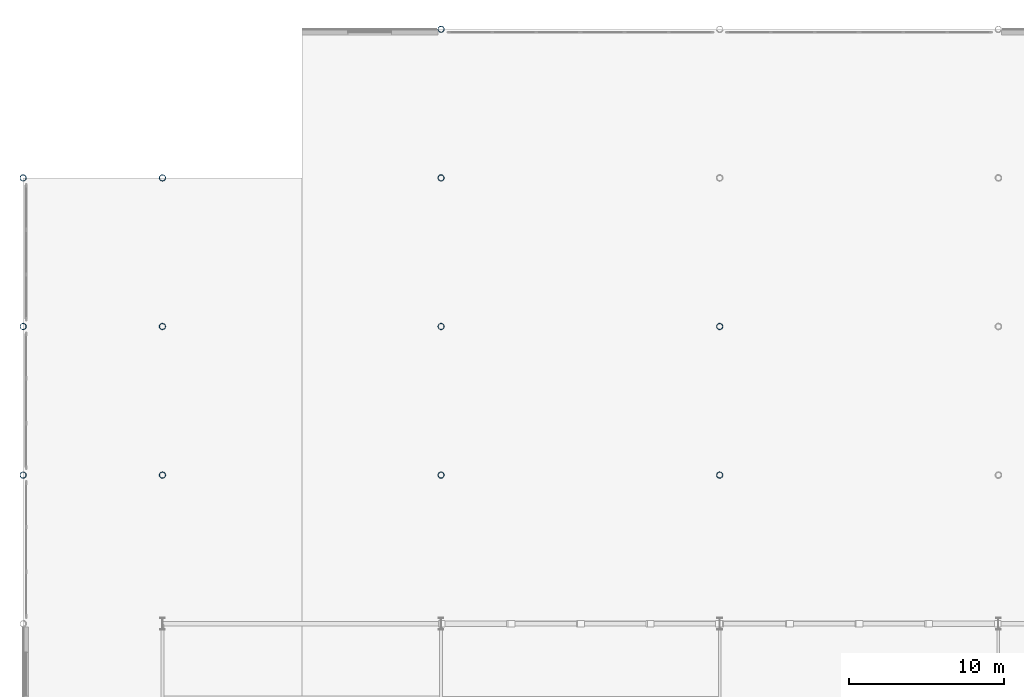
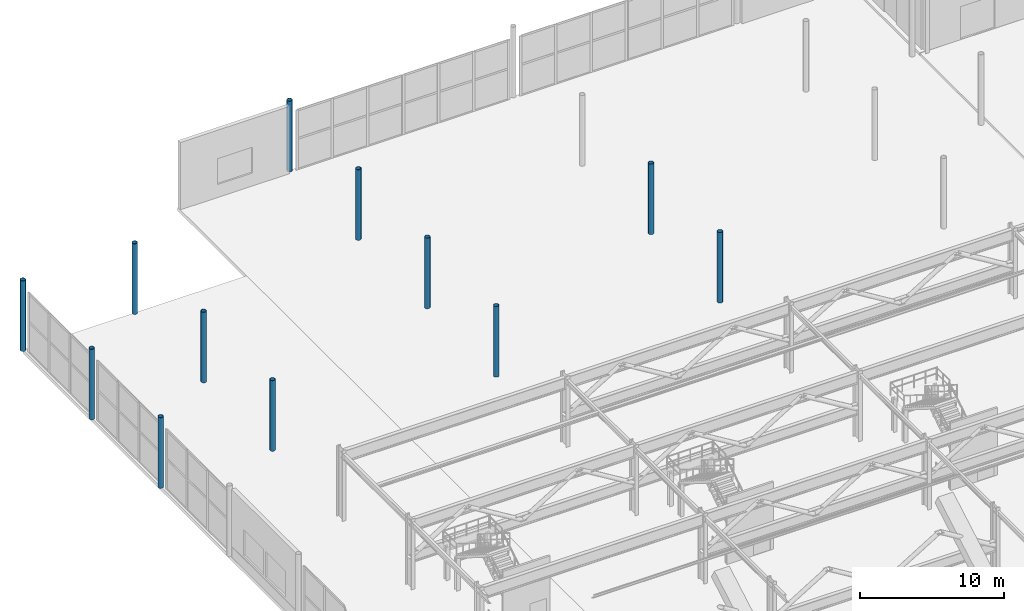
# One storey, part 12 of 113: 12 columns.
"""IFC4 building model written with IfcOpenShell, lengths in metres."""

from ifc_helpers import new_model, si_unit, direction, frame, origin, origin_2d, place, context, subcontext, project, spatial, hollow_circle, extrude, material, material_profile, profile_set, type_object, element, save


model = new_model("IFC4")

# Units and contexts
model_context = context("Model", 3, precision=1e-05, world=origin(), true_north=direction((0.0, 1.0)))
body_context = subcontext(model_context, "Body", "Model", "MODEL_VIEW")
ifc_project = project(units=[si_unit("LENGTHUNIT", "METRE"), si_unit("AREAUNIT", "SQUARE_METRE"), si_unit("VOLUMEUNIT", "CUBIC_METRE"), si_unit("PLANEANGLEUNIT", "RADIAN"), si_unit("MASSUNIT", "GRAM", prefix="KILO")], contexts=[model_context])

# Site, building, storey
site_placement = place(None, origin())
site = spatial("IfcSite", under=ifc_project, at=site_placement, CompositionType="ELEMENT")
building_placement = place(site_placement, origin())
building = spatial("IfcBuilding", under=site, at=building_placement, Name="Myrtia Square Station", CompositionType="ELEMENT")
storey_placement = place(building_placement, origin())
storey = spatial("IfcBuildingStorey", under=building, at=storey_placement, Name="L00", CompositionType="ELEMENT", Elevation=0.0)

# Columns
ifc_material = material(Name="Steel S355", Category="steel")
ifc_material_profile = material_profile(ifc_material, hollow_circle(Radius=0.203125, WallThickness=0.02001953125, at=origin_2d()), Name="CHS 406.4x20")
ifc_profile_set = profile_set([ifc_material_profile], Name="Steel S355")
column_type = type_object("IfcColumnType", Name="COL-CHS406", PredefinedType="COLUMN", material=ifc_profile_set)
for number, where, z_axis, x_axis, name in (
    (1, (0.0, 96.0, 0.0), (0.0, 0.0, 1.0), (1.0, 0.0, 0.0), "Column L00-0029"),
    (2, (0.0, 105.60009765625, 0.0), (0.0, 0.0, 1.0), (1.0, 0.0, 0.0), "Column L00-0032"),
    (3, (0.0, 115.199951171875, 0.0), (0.0, 0.0, 1.0), (1.0, 0.0, 0.0), "Column L00-0035"),
    (4, (9.0, 96.0, 0.0), (0.0, 0.0, 1.0), (1.0, 0.0, 0.0), "Column L00-0065"),
    (5, (9.0, 105.60009765625, 0.0), (0.0, 0.0, 1.0), (1.0, 0.0, 0.0), "Column L00-0068"),
    (6, (9.0, 115.199951171875, 0.0), (0.0, 0.0, 1.0), (1.0, 0.0, 0.0), "Column L00-0071"),
    (7, (27.0, 96.0, 0.0), (0.0, 0.0, 1.0), (1.0, 0.0, 0.0), "Column L00-0104"),
    (8, (27.0, 105.60009765625, 0.0), (0.0, 0.0, 1.0), (1.0, 0.0, 0.0), "Column L00-0107"),
    (9, (27.0, 115.199951171875, 0.0), (0.0, 0.0, 1.0), (1.0, 0.0, 0.0), "Column L00-0110"),
    (10, (27.0, 124.800048828125, 0.0), (0.0, 0.0, 1.0), (1.0, 0.0, 0.0), "Column L00-0113"),
    (11, (45.0, 96.0, 0.0), (0.0, 0.0, 1.0), (1.0, 0.0, 0.0), "Column L00-0146"),
    (12, (45.0, 105.60009765625, 0.0), (0.0, 0.0, 1.0), (1.0, 0.0, 0.0), "Column L00-0149"),
):
    element("IfcColumn", number, at=place(storey_placement, frame(where, z_axis=z_axis, x_axis=x_axis)), inside=storey, type_object=column_type, Name=name, PredefinedType="COLUMN", context=body_context, shape_type="SweptSolid", body=[
        extrude(hollow_circle(Radius=0.203125, WallThickness=0.02001953125, at=origin_2d()), origin(), (0.0, 0.0, 1.0), 6.0),
    ])

save(model, "model.ifc")
